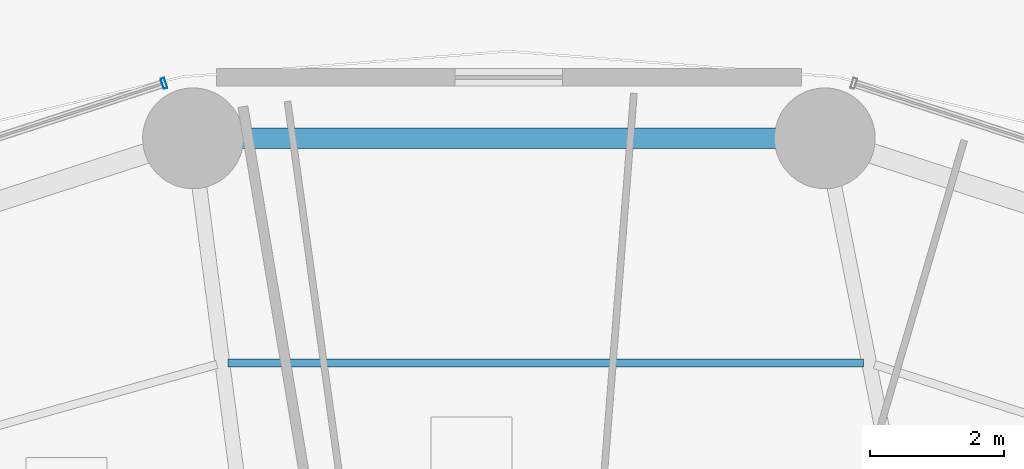
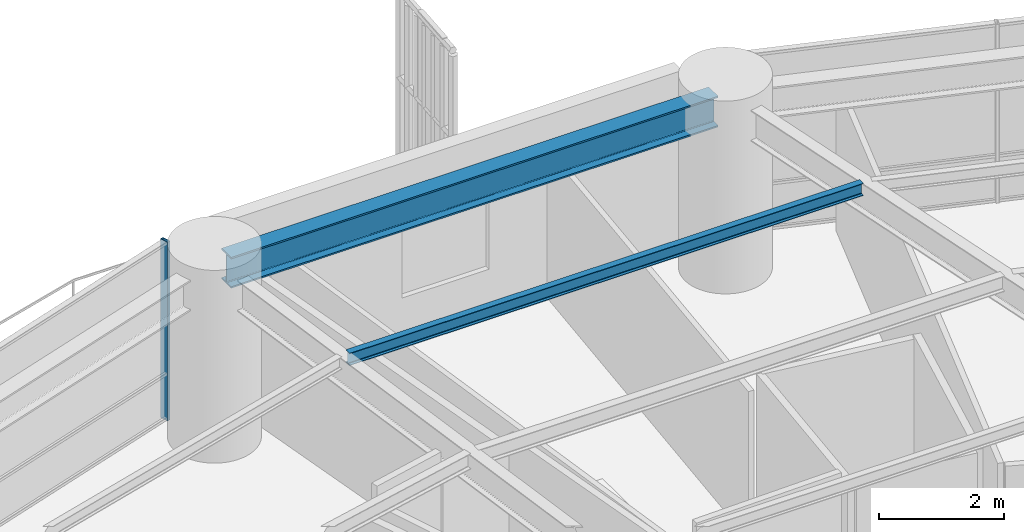
# One storey, part 18 of 33: 2 beams, 1 member, 1 element without a shape of its own.
"""IFC4 building model written with IfcOpenShell, lengths in metres."""

import ifcopenshell
import ifcopenshell.guid

model = None  # the IFC model being written
_history = None  # IfcOwnerHistory: only IFC2X3 demands one
_inside = {}  # id of a spatial element -> (the spatial element, [elements in it])
_under = {}  # id of a project, library or spatial element -> (it, [spatial elements below it])
_declared = {}  # id of a project -> (the project, [libraries it declares])
_typed = {}  # id of a type object -> (the type object, [elements of that type])
_made_of = {}  # id of a material, layer set ... -> (it, [elements and type objects made of it])


def new_model(schema):
    """Start an empty IFC model of exactly this schema.

    Asked for "IFC4X3", IfcOpenShell would pick the latest addendum, in which some entities
    have other attributes; the version numbers below select the first issue.
    IFC2X3 requires an IfcOwnerHistory on every rooted entity: one is made here for all.
    """
    global model, _history
    if schema == "IFC4X3":
        model = ifcopenshell.file(schema_version=(4, 3, 0, 0))
    else:
        model = ifcopenshell.file(schema=schema)
    _inside.clear()
    _under.clear()
    _declared.clear()
    _typed.clear()
    _made_of.clear()
    _history = None
    if model.schema == "IFC2X3":
        org = make("IfcOrganization", Name="unknown")
        user = make(
            "IfcPersonAndOrganization",
            ThePerson=make("IfcPerson", FamilyName="unknown"),
            TheOrganization=org,
        )
        app = make(
            "IfcApplication",
            ApplicationDeveloper=org,
            Version="unknown",
            ApplicationFullName="unknown",
            ApplicationIdentifier="unknown",
        )
        _history = make(
            "IfcOwnerHistory",
            OwningUser=user,
            OwningApplication=app,
            ChangeAction="ADDED",
            CreationDate=0,
        )
    return model


def make(cls, **values):
    """One entity of the class cls with the attributes given. An attribute that is None is left unset."""
    return model.create_entity(
        cls, **{name: value for name, value in values.items() if value is not None}
    )


def rooted(cls, **values):
    """An entity with a GlobalId (a new one), such as an element, a storey or a relation."""
    return make(cls, GlobalId=ifcopenshell.guid.new(), OwnerHistory=_history, **values)


def si_unit(unit_type, name, prefix=None):
    """IfcSIUnit, for example si_unit("LENGTHUNIT", "METRE", prefix="MILLI")."""
    return make("IfcSIUnit", UnitType=unit_type, Prefix=prefix, Name=name)


def assignment(units):
    """IfcUnitAssignment: the units of a project."""
    return None if units is None else make("IfcUnitAssignment", Units=units)


def point(xyz):
    """IfcCartesianPoint."""
    return None if xyz is None else make("IfcCartesianPoint", Coordinates=xyz)


def direction(xyz):
    """IfcDirection."""
    return None if xyz is None else make("IfcDirection", DirectionRatios=xyz)


def frame(location, z_axis=None, x_axis=None):
    """IfcAxis2Placement3D, a coordinate frame: its origin and axes. An axis left out is left unset."""
    return make(
        "IfcAxis2Placement3D",
        Location=point(location),
        Axis=direction(z_axis),
        RefDirection=direction(x_axis),
    )


def frame_2d(location, x_axis=None):
    """IfcAxis2Placement2D, a coordinate frame in the plane: its origin and x axis."""
    return make(
        "IfcAxis2Placement2D", Location=point(location), RefDirection=direction(x_axis)
    )


def origin():
    """The frame at (0, 0, 0) with its axes left unset."""
    return frame((0.0, 0.0, 0.0))


def origin_2d():
    """The frame at (0, 0) in the plane with its x axis left unset."""
    return frame_2d((0.0, 0.0))


def place(relative_to, where):
    """IfcLocalPlacement: puts the frame where relative to a parent placement (None: the world)."""
    return make(
        "IfcLocalPlacement", PlacementRelTo=relative_to, RelativePlacement=where
    )


def context(
    kind, dimensions, precision=None, world=None, true_north=None, identifier=None
):
    """IfcGeometricRepresentationContext, for example the 3D "Model" context."""
    return make(
        "IfcGeometricRepresentationContext",
        ContextIdentifier=identifier,
        ContextType=kind,
        CoordinateSpaceDimension=dimensions,
        Precision=precision,
        WorldCoordinateSystem=world,
        TrueNorth=true_north,
    )


def subcontext(parent, identifier, kind, view, scale=None):
    """IfcGeometricRepresentationSubContext, for example "Body" below "Model"."""
    return make(
        "IfcGeometricRepresentationSubContext",
        ContextIdentifier=identifier,
        ContextType=kind,
        ParentContext=parent,
        TargetScale=scale,
        TargetView=view,
    )


def project(units=None, contexts=None):
    """IfcProject with its units and contexts."""
    return rooted(
        "IfcProject",
        Name="project",
        RepresentationContexts=contexts,
        UnitsInContext=assignment(units),
    )


def spatial(cls, under=None, at=None, **own):
    """A site, building, storey or space (cls), placed at a placement, below another one or the project."""
    s = rooted(cls, ObjectPlacement=at, **own)
    if under is not None:
        _under.setdefault(under.id(), (under, []))[1].append(s)
    return s


def profile(cls, at=None, kind="AREA", **sizes):
    """A parametric profile (cls). Its sizes go by their IFC names, for example OverallWidth=200.0."""
    return make(cls, ProfileType=kind, Position=at, **sizes)


def hollow_rectangle(**sizes):
    """IfcRectangleHollowProfileDef."""
    return profile("IfcRectangleHollowProfileDef", **sizes)


def i_section(**sizes):
    """IfcIShapeProfileDef."""
    return profile("IfcIShapeProfileDef", **sizes)


def extrude(swept, where, along, depth):
    """IfcExtrudedAreaSolid: the profile swept, set in the frame where, extruded along a direction by depth."""
    return make(
        "IfcExtrudedAreaSolid",
        SweptArea=swept,
        Position=where,
        ExtrudedDirection=direction(along),
        Depth=depth,
    )


def shape(context_of_items, identifier, shape_type, items):
    """IfcShapeRepresentation: the items that make up one representation, for example the "Body"."""
    return make(
        "IfcShapeRepresentation",
        ContextOfItems=context_of_items,
        RepresentationIdentifier=identifier,
        RepresentationType=shape_type,
        Items=items,
    )


def material(Name=None, Category=None):
    """IfcMaterial."""
    return make("IfcMaterial", Name=Name, Category=Category)


def layer(
    of_material, thickness, ventilated=None, Name=None, Category=None, Priority=None
):
    """IfcMaterialLayer: one layer of a wall or slab, of a material (None: an air gap)."""
    return make(
        "IfcMaterialLayer",
        Material=of_material,
        LayerThickness=thickness,
        IsVentilated=ventilated,
        Name=Name,
        Category=Category,
        Priority=Priority,
    )


def layer_set(layers, Name=None):
    """IfcMaterialLayerSet."""
    return make("IfcMaterialLayerSet", MaterialLayers=layers, LayerSetName=Name)


def material_profile(
    of_material, cross_section, Name=None, Category=None, Priority=None
):
    """IfcMaterialProfile: a cross section and its material."""
    return make(
        "IfcMaterialProfile",
        Name=Name,
        Material=of_material,
        Profile=cross_section,
        Priority=Priority,
        Category=Category,
    )


def profile_set(profiles, Name=None, composite=None):
    """IfcMaterialProfileSet."""
    return make(
        "IfcMaterialProfileSet",
        Name=Name,
        MaterialProfiles=profiles,
        CompositeProfile=composite,
    )


def made_of(thing, what):
    """Note that an element or type object is made of a material, layer set ...; save() writes the relation."""
    if what is not None:
        _made_of.setdefault(what.id(), (what, []))[1].append(thing)
    return thing


def type_object(cls, material=None, **own):
    """A type object (cls), such as IfcWallType, which elements share."""
    return made_of(rooted(cls, **own), material)


def element(
    cls,
    number,
    at=None,
    inside=None,
    cuts=None,
    type_object=None,
    material=None,
    context=None,
    identifier="Body",
    shape_type=None,
    held_by="IfcProductDefinitionShape",
    body=None,
    shapes=None,
    **own,
):
    """One element of the class cls, such as IfcWall. Its Tag is "e" and its number.

    at: its placement. inside: the storey or other place that contains it. cuts: it is an
    opening in that element (IfcRelVoidsElement). A single representation is given by context,
    identifier, shape_type and body (its items); several are given by shapes. held_by: the class
    of the entity that holds the representations. save() writes the other relations.
    """
    e = rooted(cls, Tag="e%d" % number, ObjectPlacement=at, **own)
    if body is not None:
        shapes = [shape(context, identifier, shape_type, body)]
    if shapes is not None:
        e.Representation = make(held_by, Representations=shapes)
    if inside is not None:
        _inside.setdefault(inside.id(), (inside, []))[1].append(e)
    if cuts is not None:
        rooted(
            "IfcRelVoidsElement", RelatingBuildingElement=cuts, RelatedOpeningElement=e
        )
    if type_object is not None:
        _typed.setdefault(type_object.id(), (type_object, []))[1].append(e)
    return made_of(e, material)


def aggregate(whole, parts):
    """IfcRelAggregates: a whole, such as a stair, and the parts it consists of."""
    return rooted("IfcRelAggregates", RelatingObject=whole, RelatedObjects=parts)


def save(model, path):
    """Write the relations noted so far, then the file.

    IfcRelAggregates (storeys below a building ...), IfcRelContainedInSpatialStructure (elements
    in a storey), IfcRelDefinesByType, IfcRelAssociatesMaterial and IfcRelDeclares: one each for
    every whole, place, type object, material and project.
    """
    for whole, parts in _under.values():
        aggregate(whole, parts)
    for where, things in _inside.values():
        rooted(
            "IfcRelContainedInSpatialStructure",
            RelatedElements=things,
            RelatingStructure=where,
        )
    for kind, things in _typed.values():
        rooted("IfcRelDefinesByType", RelatedObjects=things, RelatingType=kind)
    for what, things in _made_of.values():
        rooted("IfcRelAssociatesMaterial", RelatedObjects=things, RelatingMaterial=what)
    for by, libraries in _declared.values():
        rooted("IfcRelDeclares", RelatingContext=by, RelatedDefinitions=libraries)
    model.write(path)


model = new_model("IFC4")

# Units and contexts
model_context = context("Model", 3, precision=1e-05, world=origin(), true_north=direction((0.0, 1.0)))
body_context = subcontext(model_context, "Body", "Model", "MODEL_VIEW")
ifc_project = project(units=[si_unit("LENGTHUNIT", "METRE"), si_unit("AREAUNIT", "SQUARE_METRE"), si_unit("VOLUMEUNIT", "CUBIC_METRE"), si_unit("PLANEANGLEUNIT", "RADIAN"), si_unit("MASSUNIT", "GRAM", prefix="KILO")], contexts=[model_context])

# Site, building, storey
site_placement = place(None, origin())
site = spatial("IfcSite", under=ifc_project, at=site_placement, CompositionType="ELEMENT")
building_placement = place(site_placement, origin())
building = spatial("IfcBuilding", under=site, at=building_placement, Name="Kelanora Arch Commons", CompositionType="ELEMENT")
storey_placement = place(building_placement, frame((0.0, 0.0, 37.5)))
storey = spatial("IfcBuildingStorey", under=building, at=storey_placement, Name="L09", CompositionType="ELEMENT", Elevation=37.5)

# Beams
ifc_material_1 = material(Name="Steel S355", Category="steel")
ifc_material_profile_1 = material_profile(ifc_material_1, i_section(OverallWidth=0.1201171875, OverallDepth=0.239990234375, WebThickness=0.006103515625, FlangeThickness=0.009765625, FilletRadius=0.014892578125, at=origin_2d()), Name="IPE240")
ifc_profile_set_1 = profile_set([ifc_material_profile_1], Name="Steel S355")
beam_type_1 = type_object("IfcBeamType", Name="BM-JST-02", PredefinedType="JOIST", material=ifc_profile_set_1)
beam_1_placement = place(storey_placement, frame((79.27685546875, 78.371337890625, 3.3701171875), z_axis=(-1.0, 0.0, 0.0), x_axis=(0.0, -1.0, 0.0)))
element("IfcBeam", 1, at=beam_1_placement, inside=storey, type_object=beam_type_1, Name="Secondary Chord Joist BJC-08 L09", PredefinedType="JOIST", context=body_context, shape_type="SweptSolid", body=[
    extrude(i_section(OverallWidth=0.1201171875, OverallDepth=0.239990234375, WebThickness=0.006103515625, FlangeThickness=0.009765625, FilletRadius=0.014892578125, at=origin_2d()), origin(), (0.0, 0.0, 1.0), 9.457763671875),
])
ifc_material_profile_2 = material_profile(ifc_material_1, i_section(OverallWidth=0.300048828125, OverallDepth=0.60009765625, WebThickness=0.015380859375, FlangeThickness=0.030029296875, FilletRadius=0.027099609375, at=origin_2d()), Name="HEB600")
ifc_profile_set_2 = profile_set([ifc_material_profile_2], Name="Steel S355")
beam_type_2 = type_object("IfcBeamType", Name="BM-SPN-Z1", PredefinedType="SPANDREL", material=ifc_profile_set_2)
beam_2_placement = place(storey_placement, frame((78.482421875, 81.714111328125, 3.18994140625), z_axis=(-1.0, 0.0, 0.0), x_axis=(0.0, -1.0, 0.0)))
element("IfcBeam", 2, at=beam_2_placement, inside=storey, type_object=beam_type_2, Name="Perimeter Spandrel Beam BS-08 L09", PredefinedType="SPANDREL", context=body_context, shape_type="SweptSolid", body=[
    extrude(i_section(OverallWidth=0.300048828125, OverallDepth=0.60009765625, WebThickness=0.015380859375, FlangeThickness=0.030029296875, FilletRadius=0.027099609375, at=origin_2d()), origin(), (0.0, 0.0, 1.0), 8.96484375),
])

# Curtain wall, member
ifc_material_2 = material(Name="Terracotta ceramic-fritted low-E glass and aluminium", Category="masonry")
ifc_layer = layer(ifc_material_2, 0.159912109375)
ifc_layer_set = layer_set([ifc_layer], Name="Terracotta ceramic-fritted low-E glass and aluminium")
curtain_wall_type = type_object("IfcCurtainWallType", Name="CW-SYS-01", PredefinedType="NOTDEFINED", material=ifc_layer_set)
curtain_wall_placement = place(storey_placement, origin())
curtain_wall = element("IfcCurtainWall", 3, at=curtain_wall_placement, inside=storey, type_object=curtain_wall_type, Name="Unitised Curtain Wall L09-B05", PredefinedType="NOTDEFINED")
ifc_material_3 = material(Name="Powder-coated aluminium terracotta", Category="masonry")
ifc_material_profile_3 = material_profile(ifc_material_3, hollow_rectangle(XDim=0.159912109375, YDim=0.06005859375, WallThickness=0.0048828125, InnerFilletRadius=0.0048828125, OuterFilletRadius=0.010009765625, at=origin_2d()), Name="CWM160x60")
ifc_profile_set_3 = profile_set([ifc_material_profile_3], Name="Powder-coated aluminium terracotta")
member_type = type_object("IfcMemberType", Name="CWM-STD", PredefinedType="MULLION", material=ifc_profile_set_3)
member_placement = place(storey_placement, frame((68.865478515625, 82.53173828125, 0.0), z_axis=(0.0, 0.0, 1.0), x_axis=(0.30905758454, -0.951043326793, 0.0)))
member = element("IfcMember", 4, at=member_placement, type_object=member_type, Name="CW-01 mullion 1", PredefinedType="MULLION", context=body_context, shape_type="SweptSolid", body=[
    extrude(hollow_rectangle(XDim=0.159912109375, YDim=0.06005859375, WallThickness=0.0048828125, InnerFilletRadius=0.0048828125, OuterFilletRadius=0.010009765625, at=origin_2d()), origin(), (0.0, 0.0, 1.0), 3.47509765625),
])
aggregate(curtain_wall, [member])

save(model, "model.ifc")
